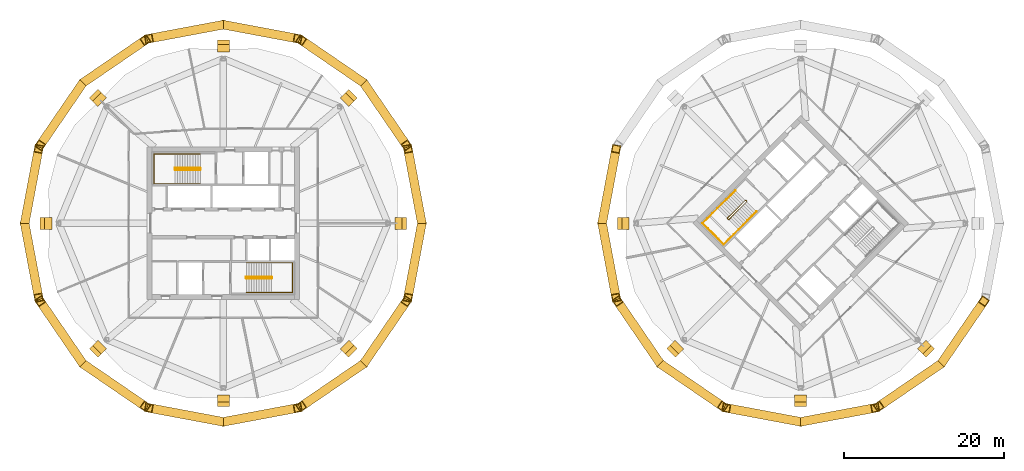
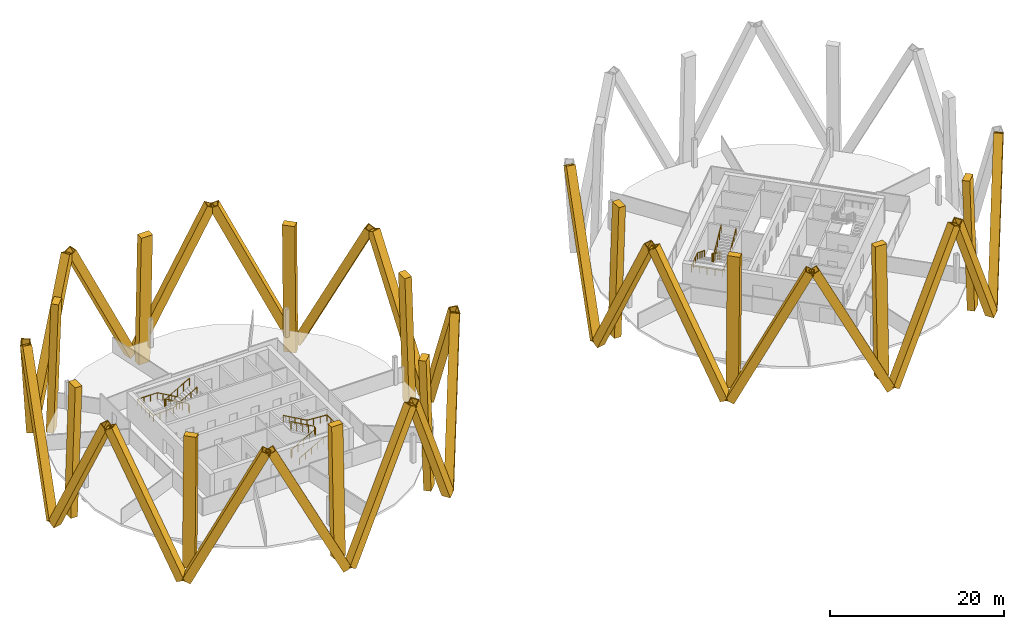
# One storey, part 9 of 10: 36 coverings, 6 railings.
"""IFC4 building model written with IfcOpenShell, lengths in metres."""

from ifc_helpers import new_model, si_unit, direction, frame, origin, origin_2d, place, context, subcontext, project, spatial, rectangle, hollow_rectangle, circle, extrude, material, material_profile, profile_set, type_object, element, save


model = new_model("IFC4")

# Units and contexts
model_context = context("Model", 3, precision=1e-05, world=origin(), true_north=direction((0.0, 1.0)))
body_context = subcontext(model_context, "Body", "Model", "MODEL_VIEW")
ifc_project = project(units=[si_unit("LENGTHUNIT", "METRE"), si_unit("AREAUNIT", "SQUARE_METRE"), si_unit("VOLUMEUNIT", "CUBIC_METRE"), si_unit("PLANEANGLEUNIT", "RADIAN"), si_unit("MASSUNIT", "GRAM", prefix="KILO")], contexts=[model_context])

# Site, building, storey
site_placement = place(None, origin())
site = spatial("IfcSite", under=ifc_project, at=site_placement, CompositionType="ELEMENT")
building_placement = place(site_placement, origin())
building = spatial("IfcBuilding", under=site, at=building_placement, Name="Ogive Gate Towers", CompositionType="ELEMENT")
storey_placement = place(building_placement, frame((0.0, 0.0, 185.10009765625)))
storey = spatial("IfcBuildingStorey", under=building, at=storey_placement, Name="L44", CompositionType="ELEMENT", Elevation=185.10009765625)

# Coverings
ifc_material_1 = material(Name="Pale metal aluminium", Category="aluminium")
ifc_material_profile_1 = material_profile(ifc_material_1, rectangle(XDim=1.5, YDim=0.89990234375, at=origin_2d()), Name="1500 x 900 pale metal aluminium")
ifc_profile_set_1 = profile_set([ifc_material_profile_1], Name="Pale metal aluminium")
covering_type_1 = type_object("IfcCoveringType", Name="Crease colonnette 1500 x 900", PredefinedType="CLADDING", material=ifc_profile_set_1)
for number, where, z_axis, x_axis, name in (
    (1, (-13.580078125, 0.0, -3.2001953125), (-0.032570586763, 0.0, 0.999469437691), (0.0, -1.0, 0.0), "Crease colonnette"),
    (2, (-20.146728515625, 15.853271484375, -3.2001953125), (-0.023025900237, -0.023025900237, 0.999469667292), (0.707106781187, -0.707106781187, 0.0), "Crease colonnette"),
    (3, (-36.0, 22.419921875, -3.2001953125), (0.0, -0.032570586763, 0.999469437691), (1.0, 0.0, 0.0), "Crease colonnette"),
    (4, (-51.853271484375, 15.853271484375, -3.2001953125), (0.023025900237, -0.023025900237, 0.999469667292), (0.707106781187, 0.707106781187, 0.0), "Crease colonnette"),
    (5, (-58.419921875, 0.0, -3.2001953125), (0.032570586763, 0.0, 0.999469437691), (0.0, 1.0, 0.0), "Crease colonnette"),
    (6, (-51.853271484375, -15.853271484375, -3.2001953125), (0.023025900237, 0.023025900237, 0.999469667292), (-0.707106781187, 0.707106781187, 0.0), "Crease colonnette"),
    (7, (-36.0, -22.419921875, -3.2001953125), (0.0, 0.032570586763, 0.999469437691), (-1.0, 0.0, 0.0), "Crease colonnette"),
    (8, (-20.146728515625, -15.853271484375, -3.2001953125), (-0.023025900237, 0.023025900237, 0.999469667292), (-0.707106781187, -0.707106781187, 0.0), "Crease colonnette"),
    (9, (13.580078125, 0.0, -3.2001953125), (0.032570586763, 0.0, 0.999469437691), (0.0, 1.0, 0.0), "Crease colonnette"),
    (10, (20.146728515625, -15.853271484375, -3.2001953125), (0.023025900237, 0.023025900237, 0.999469667292), (-0.707106781187, 0.707106781187, 0.0), "Crease colonnette"),
    (11, (36.0, -22.419921875, -3.2001953125), (0.0, 0.032570586763, 0.999469437691), (-1.0, 0.0, 0.0), "Crease colonnette"),
    (12, (51.853271484375, -15.853271484375, -3.2001953125), (-0.023025900237, 0.023025900237, 0.999469667292), (-0.707106781187, -0.707106781187, 0.0), "Crease colonnette"),
):
    element("IfcCovering", number, at=place(storey_placement, frame(where, z_axis=z_axis, x_axis=x_axis)), inside=storey, type_object=covering_type_1, Name=name, PredefinedType="CLADDING", context=body_context, shape_type="SweptSolid", body=[
        extrude(rectangle(XDim=1.5, YDim=0.89990234375, at=origin_2d()), origin(), (0.0, 0.0, 1.0), 18.109619140625),
    ])
ifc_material_2 = material(Name="Pale metal aluminium cladding", Category="aluminium")
ifc_material_profile_2 = material_profile(ifc_material_2, hollow_rectangle(XDim=1.10009765625, YDim=1.10009765625, WallThickness=0.10009765625, at=origin_2d()), Name="1100 x 1100 pale metal casing")
ifc_profile_set_2 = profile_set([ifc_material_profile_2], Name="Pale metal aluminium cladding")
covering_type_2 = type_object("IfcCoveringType", Name="Diagrid casing 1100 x 1100", PredefinedType="CLADDING", material=ifc_profile_set_2)
for number, where, z_axis, x_axis, name in (
    (13, (-11.284912109375, -0.240478515625, -3.407470703125), (-0.081904521526, -0.43713511972, 0.89565871651), (0.982895928341, -0.184161869155, 0.0), "Diagrid casing"),
    (14, (-11.284912109375, 0.240478515625, -3.407470703125), (-0.081904521526, 0.43713511972, 0.89565871651), (-0.982895928341, -0.184161869155, 0.0), "Diagrid casing"),
    (15, (-18.353759765625, 17.30615234375, -3.407470703125), (0.251181928644, -0.367017566981, 0.895659390756), (0.825239513669, 0.564782918545, 0.0), "Diagrid casing"),
    (16, (-18.69384765625, 17.646240234375, -3.407470703125), (-0.367017566981, 0.251181928644, 0.895659390756), (-0.564782918545, -0.825239513669, 0.0), "Diagrid casing"),
    (17, (-35.759521484375, 24.715087890625, -3.407470703125), (0.43713511972, -0.081904521526, 0.89565871651), (0.184161869155, 0.982895928341, 0.0), "Diagrid casing"),
    (18, (-36.240478515625, 24.715087890625, -3.407470703125), (-0.43713511972, -0.081904521526, 0.89565871651), (0.184161869155, -0.982895928341, 0.0), "Diagrid casing"),
    (19, (-53.30615234375, 17.646240234375, -3.407470703125), (0.367017566981, 0.251181928644, 0.895659390756), (-0.564782918545, 0.825239513669, 0.0), "Diagrid casing"),
    (20, (-53.646240234375, 17.30615234375, -3.407470703125), (-0.251181928644, -0.367017566981, 0.895659390756), (0.825239513669, -0.564782918545, 0.0), "Diagrid casing"),
    (21, (-60.715087890625, 0.240478515625, -3.407470703125), (0.081904521526, 0.43713511972, 0.89565871651), (-0.982895928341, 0.184161869155, 0.0), "Diagrid casing"),
    (22, (-60.715087890625, -0.240478515625, -3.407470703125), (0.081904521526, -0.43713511972, 0.89565871651), (0.982895928341, 0.184161869155, 0.0), "Diagrid casing"),
    (23, (-53.646240234375, -17.30615234375, -3.407470703125), (-0.251181928644, 0.367017566981, 0.895659390756), (-0.825239513669, -0.564782918545, 0.0), "Diagrid casing"),
    (24, (-53.30615234375, -17.646240234375, -3.407470703125), (0.367017566981, -0.251181928644, 0.895659390756), (0.564782918545, 0.825239513669, 0.0), "Diagrid casing"),
    (25, (-36.240478515625, -24.715087890625, -3.407470703125), (-0.43713511972, 0.081904521526, 0.89565871651), (-0.184161869155, -0.982895928341, 0.0), "Diagrid casing"),
    (26, (-35.759521484375, -24.715087890625, -3.407470703125), (0.43713511972, 0.081904521526, 0.89565871651), (-0.184161869155, 0.982895928341, 0.0), "Diagrid casing"),
    (27, (-18.69384765625, -17.646240234375, -3.407470703125), (-0.367017566981, -0.251181928644, 0.895659390756), (0.564782918545, -0.825239513669, 0.0), "Diagrid casing"),
    (28, (-18.353759765625, -17.30615234375, -3.407470703125), (0.251181928644, 0.367017566981, 0.895659390756), (-0.825239513669, 0.564782918545, 0.0), "Diagrid casing"),
    (29, (11.284912109375, 0.240478515625, -3.407470703125), (0.081904521526, 0.43713511972, 0.89565871651), (-0.982895928341, 0.184161869155, 0.0), "Diagrid casing"),
    (30, (11.284912109375, -0.240478515625, -3.407470703125), (0.081904521526, -0.43713511972, 0.89565871651), (0.982895928341, 0.184161869155, 0.0), "Diagrid casing"),
    (31, (18.353759765625, -17.30615234375, -3.407470703125), (-0.251181928644, 0.367017566981, 0.895659390756), (-0.825239513669, -0.564782918545, 0.0), "Diagrid casing"),
    (32, (18.69384765625, -17.646240234375, -3.407470703125), (0.367017566981, -0.251181928644, 0.895659390756), (0.564782918545, 0.825239513669, 0.0), "Diagrid casing"),
    (33, (35.759521484375, -24.715087890625, -3.407470703125), (-0.43713511972, 0.081904521526, 0.89565871651), (-0.184161869155, -0.982895928341, 0.0), "Diagrid casing"),
    (34, (36.240478515625, -24.715087890625, -3.407470703125), (0.43713511972, 0.081904521526, 0.89565871651), (-0.184161869155, 0.982895928341, 0.0), "Diagrid casing"),
    (35, (53.30615234375, -17.646240234375, -3.407470703125), (-0.367017566981, -0.251181928644, 0.895659390756), (0.564782918545, -0.825239513669, 0.0), "Diagrid casing"),
    (36, (53.646240234375, -17.30615234375, -3.407470703125), (0.251181928644, 0.367017566981, 0.895659390756), (-0.825239513669, 0.564782918545, 0.0), "Diagrid casing"),
):
    element("IfcCovering", number, at=place(storey_placement, frame(where, z_axis=z_axis, x_axis=x_axis)), inside=storey, type_object=covering_type_2, Name=name, PredefinedType="CLADDING", context=body_context, shape_type="SweptSolid", body=[
        extrude(hollow_rectangle(XDim=1.10009765625, YDim=1.10009765625, WallThickness=0.10009765625, at=origin_2d()), origin(), (0.0, 0.0, 1.0), 20.671875),
    ])

# Railings
ifc_material_3 = material(Name="Stainless steel", Category="steel")
railing_type_1 = type_object("IfcRailingType", Name="Stair guard 1100", PredefinedType="GUARDRAIL", material=ifc_material_3)
railing_1_placement = place(storey_placement, frame((-38.81494140625, 6.860107421875, 0.0)))
element("IfcRailing", 37, at=railing_1_placement, inside=storey, type_object=railing_type_1, Name="L44 ST1 stair guard 1", PredefinedType="GUARDRAIL", context=body_context, shape_type="SweptSolid", body=[
    extrude(circle(Radius=0.02392578125, at=origin_2d()), frame((0.0, 0.0, 1.076171875), z_axis=(0.0, -1.0, 0.0), x_axis=(1.0, 0.0, 0.0)), (0.0, 0.0, 1.0), 0.14501953125),
    extrude(circle(Radius=0.02392578125, at=origin_2d()), frame((0.0, -0.14501953125, 1.076171875), z_axis=(-0.186679794065, 0.726685247142, 0.661119660934), x_axis=(-0.968551454522, -0.24881334358, 0.0)), (0.0, 0.0, 1.0), 0.26806640625),
    extrude(circle(Radius=0.02392578125, at=origin_2d()), frame((-0.050048828125, 0.0498046875, 1.25341796875), z_axis=(-0.870572935281, 0.0, 0.492039393094), x_axis=(0.0, -1.0, 0.0)), (0.0, 0.0, 1.0), 3.602783203125),
    extrude(circle(Radius=0.02392578125, at=origin_2d()), frame((-3.1865234375, 0.0498046875, 3.02587890625), z_axis=(-0.707106781187, -0.707106781187, 0.0), x_axis=(0.707106781187, -0.707106781187, 0.0)), (0.0, 0.0, 1.0), 0.0703125),
    extrude(circle(Radius=0.02392578125, at=origin_2d()), frame((-3.236328125, 0.0, 3.02587890625), z_axis=(0.0, -1.0, 0.0), x_axis=(1.0, 0.0, 0.0)), (0.0, 0.0, 1.0), 0.14501953125),
    extrude(circle(Radius=0.02392578125, at=origin_2d()), frame((-3.236328125, -0.14501953125, 3.02587890625), z_axis=(0.261041864531, -0.262321481514, 0.929001929653), x_axis=(0.708833529934, 0.705375805398, 0.0)), (0.0, 0.0, 1.0), 0.190673828125),
    extrude(circle(Radius=0.02392578125, at=origin_2d()), frame((-3.1865234375, -0.195068359375, 3.203125), z_axis=(0.870572935281, 0.0, 0.492039393094), x_axis=(0.0, 1.0, 0.0)), (0.0, 0.0, 1.0), 3.602783203125),
    extrude(circle(Radius=0.02099609375, at=origin_2d()), origin(), (0.0, 0.0, 1.0), 1.052001953125),
    extrude(circle(Radius=0.02099609375, at=origin_2d()), frame((0.0, -0.14501953125, 0.0)), (0.0, 0.0, 1.0), 1.052001953125),
    extrude(circle(Radius=0.02099609375, at=origin_2d()), frame((-0.050048828125, 0.0498046875, 0.17724609375)), (0.0, 0.0, 1.0), 1.052001953125),
    extrude(circle(Radius=0.02099609375, at=origin_2d()), frame((-0.834228515625, 0.0498046875, 0.620361328125)), (0.0, 0.0, 1.0), 1.052001953125),
    extrude(circle(Radius=0.02099609375, at=origin_2d()), frame((-1.6181640625, 0.0498046875, 1.0634765625)), (0.0, 0.0, 1.0), 1.052001953125),
    extrude(circle(Radius=0.02099609375, at=origin_2d()), frame((-2.40234375, 0.0498046875, 1.5068359375)), (0.0, 0.0, 1.0), 1.052001953125),
    extrude(circle(Radius=0.02099609375, at=origin_2d()), frame((-3.1865234375, 0.0498046875, 1.949951171875)), (0.0, 0.0, 1.0), 1.052001953125),
    extrude(circle(Radius=0.02099609375, at=origin_2d()), frame((-3.236328125, 0.0, 1.949951171875)), (0.0, 0.0, 1.0), 1.052001953125),
    extrude(circle(Radius=0.02099609375, at=origin_2d()), frame((-3.236328125, -0.14501953125, 1.949951171875)), (0.0, 0.0, 1.0), 1.052001953125),
    extrude(circle(Radius=0.02099609375, at=origin_2d()), frame((-3.1865234375, -0.195068359375, 2.127197265625)), (0.0, 0.0, 1.0), 1.052001953125),
    extrude(circle(Radius=0.02099609375, at=origin_2d()), frame((-2.40234375, -0.195068359375, 2.5703125)), (0.0, 0.0, 1.0), 1.052001953125),
    extrude(circle(Radius=0.02099609375, at=origin_2d()), frame((-1.6181640625, -0.195068359375, 3.013671875)), (0.0, 0.0, 1.0), 1.052001953125),
    extrude(circle(Radius=0.02099609375, at=origin_2d()), frame((-0.834228515625, -0.195068359375, 3.456787109375)), (0.0, 0.0, 1.0), 1.052001953125),
    extrude(circle(Radius=0.02099609375, at=origin_2d()), frame((-0.050048828125, -0.195068359375, 3.89990234375)), (0.0, 0.0, 1.0), 1.052001953125),
])
railing_2_placement = place(storey_placement, frame((-33.18505859375, -6.860107421875, 0.0)))
element("IfcRailing", 38, at=railing_2_placement, inside=storey, type_object=railing_type_1, Name="L44 ST2 stair guard 1", PredefinedType="GUARDRAIL", context=body_context, shape_type="SweptSolid", body=[
    extrude(circle(Radius=0.02392578125, at=origin_2d()), frame((0.0, 0.0, 1.076171875), z_axis=(0.0, 1.0, 0.0), x_axis=(-1.0, 0.0, 0.0)), (0.0, 0.0, 1.0), 0.14501953125),
    extrude(circle(Radius=0.02392578125, at=origin_2d()), frame((0.0, 0.14501953125, 1.076171875), z_axis=(0.186679794065, -0.726685247142, 0.661119660934), x_axis=(0.968551454522, 0.24881334358, 0.0)), (0.0, 0.0, 1.0), 0.26806640625),
    extrude(circle(Radius=0.02392578125, at=origin_2d()), frame((0.050048828125, -0.0498046875, 1.25341796875), z_axis=(0.870572935281, 0.0, 0.492039393094), x_axis=(0.0, 1.0, 0.0)), (0.0, 0.0, 1.0), 3.602783203125),
    extrude(circle(Radius=0.02392578125, at=origin_2d()), frame((3.1865234375, -0.0498046875, 3.02587890625), z_axis=(0.707106781187, 0.707106781187, 0.0), x_axis=(-0.707106781187, 0.707106781187, 0.0)), (0.0, 0.0, 1.0), 0.0703125),
    extrude(circle(Radius=0.02392578125, at=origin_2d()), frame((3.236328125, 0.0, 3.02587890625), z_axis=(0.0, 1.0, 0.0), x_axis=(-1.0, 0.0, 0.0)), (0.0, 0.0, 1.0), 0.14501953125),
    extrude(circle(Radius=0.02392578125, at=origin_2d()), frame((3.236328125, 0.14501953125, 3.02587890625), z_axis=(-0.261041864531, 0.262321481514, 0.929001929653), x_axis=(-0.708833529934, -0.705375805398, 0.0)), (0.0, 0.0, 1.0), 0.190673828125),
    extrude(circle(Radius=0.02392578125, at=origin_2d()), frame((3.1865234375, 0.195068359375, 3.203125), z_axis=(-0.870572935281, 0.0, 0.492039393094), x_axis=(0.0, -1.0, 0.0)), (0.0, 0.0, 1.0), 3.602783203125),
    extrude(circle(Radius=0.02099609375, at=origin_2d()), origin(), (0.0, 0.0, 1.0), 1.052001953125),
    extrude(circle(Radius=0.02099609375, at=origin_2d()), frame((0.0, 0.14501953125, 0.0)), (0.0, 0.0, 1.0), 1.052001953125),
    extrude(circle(Radius=0.02099609375, at=origin_2d()), frame((0.050048828125, -0.0498046875, 0.17724609375)), (0.0, 0.0, 1.0), 1.052001953125),
    extrude(circle(Radius=0.02099609375, at=origin_2d()), frame((0.834228515625, -0.0498046875, 0.620361328125)), (0.0, 0.0, 1.0), 1.052001953125),
    extrude(circle(Radius=0.02099609375, at=origin_2d()), frame((1.6181640625, -0.0498046875, 1.0634765625)), (0.0, 0.0, 1.0), 1.052001953125),
    extrude(circle(Radius=0.02099609375, at=origin_2d()), frame((2.40234375, -0.0498046875, 1.5068359375)), (0.0, 0.0, 1.0), 1.052001953125),
    extrude(circle(Radius=0.02099609375, at=origin_2d()), frame((3.1865234375, -0.0498046875, 1.949951171875)), (0.0, 0.0, 1.0), 1.052001953125),
    extrude(circle(Radius=0.02099609375, at=origin_2d()), frame((3.236328125, 0.0, 1.949951171875)), (0.0, 0.0, 1.0), 1.052001953125),
    extrude(circle(Radius=0.02099609375, at=origin_2d()), frame((3.236328125, 0.14501953125, 1.949951171875)), (0.0, 0.0, 1.0), 1.052001953125),
    extrude(circle(Radius=0.02099609375, at=origin_2d()), frame((3.1865234375, 0.195068359375, 2.127197265625)), (0.0, 0.0, 1.0), 1.052001953125),
    extrude(circle(Radius=0.02099609375, at=origin_2d()), frame((2.40234375, 0.195068359375, 2.5703125)), (0.0, 0.0, 1.0), 1.052001953125),
    extrude(circle(Radius=0.02099609375, at=origin_2d()), frame((1.6181640625, 0.195068359375, 3.013671875)), (0.0, 0.0, 1.0), 1.052001953125),
    extrude(circle(Radius=0.02099609375, at=origin_2d()), frame((0.834228515625, 0.195068359375, 3.456787109375)), (0.0, 0.0, 1.0), 1.052001953125),
    extrude(circle(Radius=0.02099609375, at=origin_2d()), frame((0.050048828125, 0.195068359375, 3.89990234375)), (0.0, 0.0, 1.0), 1.052001953125),
])
railing_3_placement = place(storey_placement, frame((29.15869140625, 2.8603515625, 0.0)))
element("IfcRailing", 39, at=railing_3_placement, inside=storey, type_object=railing_type_1, Name="L44 ST1 stair guard 1", PredefinedType="GUARDRAIL", context=body_context, shape_type="SweptSolid", body=[
    extrude(circle(Radius=0.02392578125, at=origin_2d()), frame((0.0, 0.0, 1.076171875), z_axis=(0.707106781187, -0.707106781187, 0.0), x_axis=(0.707106781187, 0.707106781187, 0.0)), (0.0, 0.0, 1.0), 0.14501953125),
    extrude(circle(Radius=0.02392578125, at=origin_2d()), frame((0.1025390625, -0.1025390625, 1.076171875), z_axis=(-0.645571447971, 0.382425963537, 0.661050594114), x_axis=(-0.509669330572, -0.860370369942, 0.0)), (0.0, 0.0, 1.0), 0.26806640625),
    extrude(circle(Radius=0.02392578125, at=origin_2d()), frame((-0.070556640625, 0.0, 1.25341796875), z_axis=(-0.61558473135, -0.61558473135, 0.49204763698), x_axis=(0.707106781187, -0.707106781187, 0.0)), (0.0, 0.0, 1.0), 3.602783203125),
    extrude(circle(Radius=0.02392578125, at=origin_2d()), frame((-2.288330078125, -2.2177734375, 3.02587890625), z_axis=(0.0, -1.0, 0.0), x_axis=(1.0, 0.0, 0.0)), (0.0, 0.0, 1.0), 0.07080078125),
    extrude(circle(Radius=0.02392578125, at=origin_2d()), frame((-2.288330078125, -2.28857421875, 3.02587890625), z_axis=(0.707106781187, -0.707106781187, 0.0), x_axis=(0.707106781187, 0.707106781187, 0.0)), (0.0, 0.0, 1.0), 0.14501953125),
    extrude(circle(Radius=0.02392578125, at=origin_2d()), frame((-2.185791015625, -2.39111328125, 3.02587890625), z_axis=(0.369845645421, 0.0, 0.929093213065), x_axis=(0.0, 1.0, 0.0)), (0.0, 0.0, 1.0), 0.190673828125),
    extrude(circle(Radius=0.02392578125, at=origin_2d()), frame((-2.115234375, -2.39111328125, 3.203125), z_axis=(0.61558473135, 0.61558473135, 0.49204763698), x_axis=(-0.707106781187, 0.707106781187, 0.0)), (0.0, 0.0, 1.0), 3.602783203125),
    extrude(circle(Radius=0.02099609375, at=origin_2d()), origin(), (0.0, 0.0, 1.0), 1.052001953125),
    extrude(circle(Radius=0.02099609375, at=origin_2d()), frame((0.1025390625, -0.1025390625, 0.0)), (0.0, 0.0, 1.0), 1.052001953125),
    extrude(circle(Radius=0.02099609375, at=origin_2d()), frame((-0.070556640625, 0.0, 0.17724609375)), (0.0, 0.0, 1.0), 1.052001953125),
    extrude(circle(Radius=0.02099609375, at=origin_2d()), frame((-0.625, -0.554443359375, 0.620361328125)), (0.0, 0.0, 1.0), 1.052001953125),
    extrude(circle(Radius=0.02099609375, at=origin_2d()), frame((-1.179443359375, -1.10888671875, 1.0634765625)), (0.0, 0.0, 1.0), 1.052001953125),
    extrude(circle(Radius=0.02099609375, at=origin_2d()), frame((-1.73388671875, -1.663330078125, 1.5068359375)), (0.0, 0.0, 1.0), 1.052001953125),
    extrude(circle(Radius=0.02099609375, at=origin_2d()), frame((-2.288330078125, -2.2177734375, 1.949951171875)), (0.0, 0.0, 1.0), 1.052001953125),
    extrude(circle(Radius=0.02099609375, at=origin_2d()), frame((-2.288330078125, -2.28857421875, 1.949951171875)), (0.0, 0.0, 1.0), 1.052001953125),
    extrude(circle(Radius=0.02099609375, at=origin_2d()), frame((-2.185791015625, -2.39111328125, 1.949951171875)), (0.0, 0.0, 1.0), 1.052001953125),
    extrude(circle(Radius=0.02099609375, at=origin_2d()), frame((-2.115234375, -2.39111328125, 2.127197265625)), (0.0, 0.0, 1.0), 1.052001953125),
    extrude(circle(Radius=0.02099609375, at=origin_2d()), frame((-1.560791015625, -1.836669921875, 2.5703125)), (0.0, 0.0, 1.0), 1.052001953125),
    extrude(circle(Radius=0.02099609375, at=origin_2d()), frame((-1.00634765625, -1.2822265625, 3.013671875)), (0.0, 0.0, 1.0), 1.052001953125),
    extrude(circle(Radius=0.02099609375, at=origin_2d()), frame((-0.451904296875, -0.727783203125, 3.456787109375)), (0.0, 0.0, 1.0), 1.052001953125),
    extrude(circle(Radius=0.02099609375, at=origin_2d()), frame((0.1025390625, -0.17333984375, 3.89990234375)), (0.0, 0.0, 1.0), 1.052001953125),
])
railing_type_2 = type_object("IfcRailingType", Name="Stair handrail 900", PredefinedType="HANDRAIL", material=ifc_material_3)
railing_4_placement = place(storey_placement, frame((-38.864990234375, 8.64990234375, 0.17724609375)))
element("IfcRailing", 40, at=railing_4_placement, inside=storey, type_object=railing_type_2, Name="L44 ST1 stair handrail 1", PredefinedType="HANDRAIL", context=body_context, shape_type="SweptSolid", body=[
    extrude(circle(Radius=0.02392578125, at=origin_2d()), frame((0.0, 0.0, 0.8759765625), z_axis=(-0.870572935281, 0.0, 0.492039393094), x_axis=(0.0, -1.0, 0.0)), (0.0, 0.0, 1.0), 3.602783203125),
    extrude(circle(Radius=0.02392578125, at=origin_2d()), frame((-3.136474609375, 0.0, 2.6484375), z_axis=(-1.0, 0.0, 0.0), x_axis=(0.0, -1.0, 0.0)), (0.0, 0.0, 1.0), 2.6484375),
    extrude(circle(Radius=0.02392578125, at=origin_2d()), frame((-5.784912109375, 0.0, 2.6484375), z_axis=(0.0, -1.0, 0.0), x_axis=(1.0, 0.0, 0.0)), (0.0, 0.0, 1.0), 3.724853515625),
    extrude(circle(Radius=0.02392578125, at=origin_2d()), frame((-5.784912109375, -3.724853515625, 2.6484375), z_axis=(0.997768031817, 0.0, 0.066775404784), x_axis=(0.0, 1.0, 0.0)), (0.0, 0.0, 1.0), 2.654296875),
    extrude(circle(Radius=0.02392578125, at=origin_2d()), frame((-3.136474609375, -3.724853515625, 2.82568359375), z_axis=(0.870572935281, 0.0, 0.492039393094), x_axis=(0.0, 1.0, 0.0)), (0.0, 0.0, 1.0), 3.602783203125),
    extrude(circle(Radius=0.02099609375, at=origin_2d()), origin(), (0.0, 0.0, 1.0), 0.851806640625),
    extrude(circle(Radius=0.02099609375, at=origin_2d()), frame((-0.7841796875, 0.0, 0.443115234375)), (0.0, 0.0, 1.0), 0.851806640625),
    extrude(circle(Radius=0.02099609375, at=origin_2d()), frame((-1.568359375, 0.0, 0.88623046875)), (0.0, 0.0, 1.0), 0.851806640625),
    extrude(circle(Radius=0.02099609375, at=origin_2d()), frame((-2.352294921875, 0.0, 1.32958984375)), (0.0, 0.0, 1.0), 0.851806640625),
    extrude(circle(Radius=0.02099609375, at=origin_2d()), frame((-3.136474609375, 0.0, 1.772705078125)), (0.0, 0.0, 1.0), 0.851806640625),
    extrude(circle(Radius=0.02099609375, at=origin_2d()), frame((-4.019287109375, 0.0, 1.772705078125)), (0.0, 0.0, 1.0), 0.851806640625),
    extrude(circle(Radius=0.02099609375, at=origin_2d()), frame((-4.902099609375, 0.0, 1.772705078125)), (0.0, 0.0, 1.0), 0.851806640625),
    extrude(circle(Radius=0.02099609375, at=origin_2d()), frame((-5.784912109375, 0.0, 1.772705078125)), (0.0, 0.0, 1.0), 0.851806640625),
    extrude(circle(Radius=0.02099609375, at=origin_2d()), frame((-5.784912109375, -0.93115234375, 1.772705078125)), (0.0, 0.0, 1.0), 0.851806640625),
    extrude(circle(Radius=0.02099609375, at=origin_2d()), frame((-5.784912109375, -1.8623046875, 1.772705078125)), (0.0, 0.0, 1.0), 0.851806640625),
    extrude(circle(Radius=0.02099609375, at=origin_2d()), frame((-5.784912109375, -2.793701171875, 1.772705078125)), (0.0, 0.0, 1.0), 0.851806640625),
    extrude(circle(Radius=0.02099609375, at=origin_2d()), frame((-5.784912109375, -3.724853515625, 1.772705078125)), (0.0, 0.0, 1.0), 0.851806640625),
    extrude(circle(Radius=0.02099609375, at=origin_2d()), frame((-4.902099609375, -3.724853515625, 1.831787109375)), (0.0, 0.0, 1.0), 0.851806640625),
    extrude(circle(Radius=0.02099609375, at=origin_2d()), frame((-4.019287109375, -3.724853515625, 1.890869140625)), (0.0, 0.0, 1.0), 0.851806640625),
    extrude(circle(Radius=0.02099609375, at=origin_2d()), frame((-3.136474609375, -3.724853515625, 1.949951171875)), (0.0, 0.0, 1.0), 0.851806640625),
    extrude(circle(Radius=0.02099609375, at=origin_2d()), frame((-2.352294921875, -3.724853515625, 2.39306640625)), (0.0, 0.0, 1.0), 0.851806640625),
    extrude(circle(Radius=0.02099609375, at=origin_2d()), frame((-1.568359375, -3.724853515625, 2.83642578125)), (0.0, 0.0, 1.0), 0.851806640625),
    extrude(circle(Radius=0.02099609375, at=origin_2d()), frame((-0.7841796875, -3.724853515625, 3.279541015625)), (0.0, 0.0, 1.0), 0.851806640625),
    extrude(circle(Radius=0.02099609375, at=origin_2d()), frame((0.0, -3.724853515625, 3.72265625)), (0.0, 0.0, 1.0), 0.851806640625),
])
railing_5_placement = place(storey_placement, frame((-33.135009765625, -8.64990234375, 0.17724609375)))
element("IfcRailing", 41, at=railing_5_placement, inside=storey, type_object=railing_type_2, Name="L44 ST2 stair handrail 1", PredefinedType="HANDRAIL", context=body_context, shape_type="SweptSolid", body=[
    extrude(circle(Radius=0.02392578125, at=origin_2d()), frame((0.0, 0.0, 0.8759765625), z_axis=(0.870572935281, 0.0, 0.492039393094), x_axis=(0.0, 1.0, 0.0)), (0.0, 0.0, 1.0), 3.602783203125),
    extrude(circle(Radius=0.02392578125, at=origin_2d()), frame((3.136474609375, 0.0, 2.6484375), z_axis=(1.0, 0.0, 0.0), x_axis=(0.0, 1.0, 0.0)), (0.0, 0.0, 1.0), 2.6484375),
    extrude(circle(Radius=0.02392578125, at=origin_2d()), frame((5.784912109375, 0.0, 2.6484375), z_axis=(0.0, 1.0, 0.0), x_axis=(-1.0, 0.0, 0.0)), (0.0, 0.0, 1.0), 3.724853515625),
    extrude(circle(Radius=0.02392578125, at=origin_2d()), frame((5.784912109375, 3.724853515625, 2.6484375), z_axis=(-0.997768031817, 0.0, 0.066775404784), x_axis=(0.0, -1.0, 0.0)), (0.0, 0.0, 1.0), 2.654296875),
    extrude(circle(Radius=0.02392578125, at=origin_2d()), frame((3.136474609375, 3.724853515625, 2.82568359375), z_axis=(-0.870572935281, 0.0, 0.492039393094), x_axis=(0.0, -1.0, 0.0)), (0.0, 0.0, 1.0), 3.602783203125),
    extrude(circle(Radius=0.02099609375, at=origin_2d()), origin(), (0.0, 0.0, 1.0), 0.851806640625),
    extrude(circle(Radius=0.02099609375, at=origin_2d()), frame((0.7841796875, 0.0, 0.443115234375)), (0.0, 0.0, 1.0), 0.851806640625),
    extrude(circle(Radius=0.02099609375, at=origin_2d()), frame((1.568359375, 0.0, 0.88623046875)), (0.0, 0.0, 1.0), 0.851806640625),
    extrude(circle(Radius=0.02099609375, at=origin_2d()), frame((2.352294921875, 0.0, 1.32958984375)), (0.0, 0.0, 1.0), 0.851806640625),
    extrude(circle(Radius=0.02099609375, at=origin_2d()), frame((3.136474609375, 0.0, 1.772705078125)), (0.0, 0.0, 1.0), 0.851806640625),
    extrude(circle(Radius=0.02099609375, at=origin_2d()), frame((4.019287109375, 0.0, 1.772705078125)), (0.0, 0.0, 1.0), 0.851806640625),
    extrude(circle(Radius=0.02099609375, at=origin_2d()), frame((4.902099609375, 0.0, 1.772705078125)), (0.0, 0.0, 1.0), 0.851806640625),
    extrude(circle(Radius=0.02099609375, at=origin_2d()), frame((5.784912109375, 0.0, 1.772705078125)), (0.0, 0.0, 1.0), 0.851806640625),
    extrude(circle(Radius=0.02099609375, at=origin_2d()), frame((5.784912109375, 0.93115234375, 1.772705078125)), (0.0, 0.0, 1.0), 0.851806640625),
    extrude(circle(Radius=0.02099609375, at=origin_2d()), frame((5.784912109375, 1.8623046875, 1.772705078125)), (0.0, 0.0, 1.0), 0.851806640625),
    extrude(circle(Radius=0.02099609375, at=origin_2d()), frame((5.784912109375, 2.793701171875, 1.772705078125)), (0.0, 0.0, 1.0), 0.851806640625),
    extrude(circle(Radius=0.02099609375, at=origin_2d()), frame((5.784912109375, 3.724853515625, 1.772705078125)), (0.0, 0.0, 1.0), 0.851806640625),
    extrude(circle(Radius=0.02099609375, at=origin_2d()), frame((4.902099609375, 3.724853515625, 1.831787109375)), (0.0, 0.0, 1.0), 0.851806640625),
    extrude(circle(Radius=0.02099609375, at=origin_2d()), frame((4.019287109375, 3.724853515625, 1.890869140625)), (0.0, 0.0, 1.0), 0.851806640625),
    extrude(circle(Radius=0.02099609375, at=origin_2d()), frame((3.136474609375, 3.724853515625, 1.949951171875)), (0.0, 0.0, 1.0), 0.851806640625),
    extrude(circle(Radius=0.02099609375, at=origin_2d()), frame((2.352294921875, 3.724853515625, 2.39306640625)), (0.0, 0.0, 1.0), 0.851806640625),
    extrude(circle(Radius=0.02099609375, at=origin_2d()), frame((1.568359375, 3.724853515625, 2.83642578125)), (0.0, 0.0, 1.0), 0.851806640625),
    extrude(circle(Radius=0.02099609375, at=origin_2d()), frame((0.7841796875, 3.724853515625, 3.279541015625)), (0.0, 0.0, 1.0), 0.851806640625),
    extrude(circle(Radius=0.02099609375, at=origin_2d()), frame((0.0, 3.724853515625, 3.72265625)), (0.0, 0.0, 1.0), 0.851806640625),
])
railing_6_placement = place(storey_placement, frame((27.857666015625, 4.090576171875, 0.17724609375)))
element("IfcRailing", 42, at=railing_6_placement, inside=storey, type_object=railing_type_2, Name="L44 ST1 stair handrail 1", PredefinedType="HANDRAIL", context=body_context, shape_type="SweptSolid", body=[
    extrude(circle(Radius=0.02392578125, at=origin_2d()), frame((0.0, 0.0, 0.8759765625), z_axis=(-0.61558473135, -0.61558473135, 0.49204763698), x_axis=(0.707106781187, -0.707106781187, 0.0)), (0.0, 0.0, 1.0), 3.602783203125),
    extrude(circle(Radius=0.02392578125, at=origin_2d()), frame((-2.2177734375, -2.2177734375, 2.6484375), z_axis=(-0.707106781187, -0.707106781187, 0.0), x_axis=(0.707106781187, -0.707106781187, 0.0)), (0.0, 0.0, 1.0), 2.6484375),
    extrude(circle(Radius=0.02392578125, at=origin_2d()), frame((-4.090576171875, -4.090576171875, 2.6484375), z_axis=(0.707106781187, -0.707106781187, 0.0), x_axis=(0.707106781187, 0.707106781187, 0.0)), (0.0, 0.0, 1.0), 3.72509765625),
    extrude(circle(Radius=0.02392578125, at=origin_2d()), frame((-1.45654296875, -6.724609375, 2.6484375), z_axis=(0.705482886452, 0.705574853978, 0.066768423356), x_axis=(-0.70715286629, 0.70706069308, 0.0)), (0.0, 0.0, 1.0), 2.654541015625),
    extrude(circle(Radius=0.02392578125, at=origin_2d()), frame((0.416259765625, -4.8515625, 2.82568359375), z_axis=(0.615610411033, 0.615542642384, 0.4920681632), x_axis=(-0.70706785752, 0.70714570271, 0.0)), (0.0, 0.0, 1.0), 3.6025390625),
    extrude(circle(Radius=0.02099609375, at=origin_2d()), origin(), (0.0, 0.0, 1.0), 0.851806640625),
    extrude(circle(Radius=0.02099609375, at=origin_2d()), frame((-0.554443359375, -0.554443359375, 0.443115234375)), (0.0, 0.0, 1.0), 0.851806640625),
    extrude(circle(Radius=0.02099609375, at=origin_2d()), frame((-1.10888671875, -1.10888671875, 0.88623046875)), (0.0, 0.0, 1.0), 0.851806640625),
    extrude(circle(Radius=0.02099609375, at=origin_2d()), frame((-1.663330078125, -1.663330078125, 1.32958984375)), (0.0, 0.0, 1.0), 0.851806640625),
    extrude(circle(Radius=0.02099609375, at=origin_2d()), frame((-2.2177734375, -2.2177734375, 1.772705078125)), (0.0, 0.0, 1.0), 0.851806640625),
    extrude(circle(Radius=0.02099609375, at=origin_2d()), frame((-2.842041015625, -2.842041015625, 1.772705078125)), (0.0, 0.0, 1.0), 0.851806640625),
    extrude(circle(Radius=0.02099609375, at=origin_2d()), frame((-3.46630859375, -3.46630859375, 1.772705078125)), (0.0, 0.0, 1.0), 0.851806640625),
    extrude(circle(Radius=0.02099609375, at=origin_2d()), frame((-4.090576171875, -4.090576171875, 1.772705078125)), (0.0, 0.0, 1.0), 0.851806640625),
    extrude(circle(Radius=0.02099609375, at=origin_2d()), frame((-3.43212890625, -4.7490234375, 1.772705078125)), (0.0, 0.0, 1.0), 0.851806640625),
    extrude(circle(Radius=0.02099609375, at=origin_2d()), frame((-2.7734375, -5.40771484375, 1.772705078125)), (0.0, 0.0, 1.0), 0.851806640625),
    extrude(circle(Radius=0.02099609375, at=origin_2d()), frame((-2.114990234375, -6.066162109375, 1.772705078125)), (0.0, 0.0, 1.0), 0.851806640625),
    extrude(circle(Radius=0.02099609375, at=origin_2d()), frame((-1.45654296875, -6.724609375, 1.772705078125)), (0.0, 0.0, 1.0), 0.851806640625),
    extrude(circle(Radius=0.02099609375, at=origin_2d()), frame((-0.832275390625, -6.100341796875, 1.831787109375)), (0.0, 0.0, 1.0), 0.851806640625),
    extrude(circle(Radius=0.02099609375, at=origin_2d()), frame((-0.2080078125, -5.475830078125, 1.890869140625)), (0.0, 0.0, 1.0), 0.851806640625),
    extrude(circle(Radius=0.02099609375, at=origin_2d()), frame((0.416259765625, -4.8515625, 1.949951171875)), (0.0, 0.0, 1.0), 0.851806640625),
    extrude(circle(Radius=0.02099609375, at=origin_2d()), frame((0.970703125, -4.297119140625, 2.39306640625)), (0.0, 0.0, 1.0), 0.851806640625),
    extrude(circle(Radius=0.02099609375, at=origin_2d()), frame((1.525146484375, -3.74267578125, 2.83642578125)), (0.0, 0.0, 1.0), 0.851806640625),
    extrude(circle(Radius=0.02099609375, at=origin_2d()), frame((2.07958984375, -3.1884765625, 3.279541015625)), (0.0, 0.0, 1.0), 0.851806640625),
    extrude(circle(Radius=0.02099609375, at=origin_2d()), frame((2.634033203125, -2.634033203125, 3.72265625)), (0.0, 0.0, 1.0), 0.851806640625),
])

save(model, "model.ifc")
